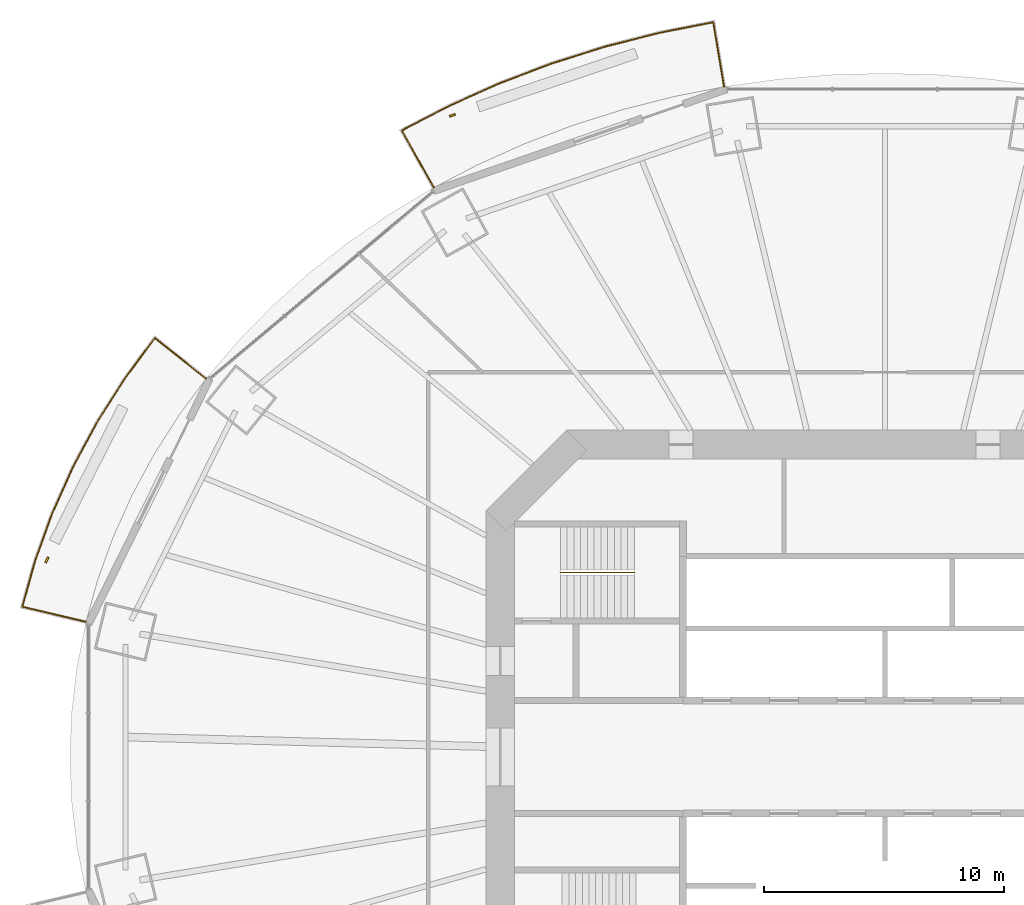
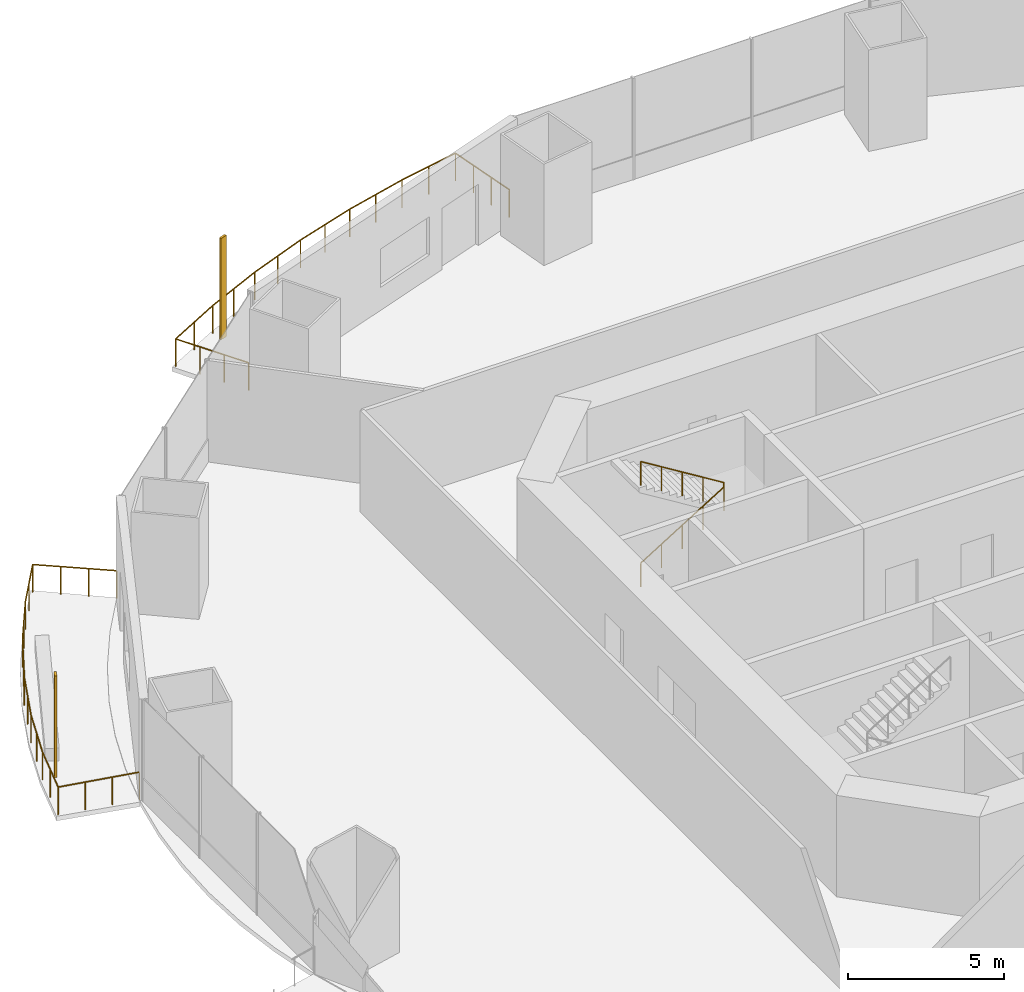
# One storey, part 19 of 21: 3 railings, 2 shading devices.
"""IFC4 building model written with IfcOpenShell, lengths in metres."""

from ifc_helpers import new_model, si_unit, direction, frame, origin, origin_2d, place, context, subcontext, project, spatial, rectangle, circle, extrude, material, material_profile, profile_set, type_object, element, save


model = new_model("IFC4")

# Units and contexts
model_context = context("Model", 3, precision=1e-05, world=origin(), true_north=direction((0.0, 1.0)))
body_context = subcontext(model_context, "Body", "Model", "MODEL_VIEW")
ifc_project = project(units=[si_unit("LENGTHUNIT", "METRE"), si_unit("AREAUNIT", "SQUARE_METRE"), si_unit("VOLUMEUNIT", "CUBIC_METRE"), si_unit("PLANEANGLEUNIT", "RADIAN"), si_unit("MASSUNIT", "GRAM", prefix="KILO")], contexts=[model_context])

# Site, building, storey
site_placement = place(None, origin())
site = spatial("IfcSite", under=ifc_project, at=site_placement, CompositionType="ELEMENT")
building_placement = place(site_placement, origin())
building = spatial("IfcBuilding", under=site, at=building_placement, Name="Marenthal Gate Tower", CompositionType="ELEMENT")
storey_placement = place(building_placement, frame((0.0, 0.0, 120.14990234375)))
storey = spatial("IfcBuildingStorey", under=building, at=storey_placement, Name="L25", CompositionType="ELEMENT", Elevation=120.14990234375)

# Railings
ifc_material_1 = material(Name="Stainless steel", Category="steel")
railing_type_1 = type_object("IfcRailingType", Name="Balcony guard 1100", PredefinedType="GUARDRAIL", material=ifc_material_1)
railing_1_placement = place(storey_placement, frame((-18.766357421875, 23.687744140625, 0.0)))
element("IfcRailing", 1, at=railing_1_placement, inside=storey, type_object=railing_type_1, Name="Balcony guard L25 bay 5", PredefinedType="GUARDRAIL", context=body_context, shape_type="SweptSolid", body=[
    extrude(circle(Radius=0.02392578125, at=origin_2d()), frame((0.0, 0.0, 1.076171875), z_axis=(-0.489198624096, 0.872049721215, -0.014628394006), x_axis=(-0.872143041114, -0.489250974283, 0.0)), (0.0, 0.0, 1.0), 2.720458984375),
    extrude(circle(Radius=0.02392578125, at=origin_2d()), frame((-1.330810546875, 2.372314453125, 1.0361328125), z_axis=(0.887124453904, 0.461530284257, 0.0), x_axis=(-0.461530284257, 0.887124453904, 0.0)), (0.0, 0.0, 1.0), 2.2080078125),
    extrude(circle(Radius=0.02392578125, at=origin_2d()), frame((0.6279296875, 3.391357421875, 1.0361328125), z_axis=(0.912452038961, 0.409183670979, 0.0), x_axis=(-0.409183670979, 0.912452038961, 0.0)), (0.0, 0.0, 1.0), 2.30419921875),
    extrude(circle(Radius=0.02392578125, at=origin_2d()), frame((2.73046875, 4.334228515625, 1.0361328125), z_axis=(0.934727645052, 0.355364924515, 0.0), x_axis=(-0.355364924515, 0.934727645052, 0.0)), (0.0, 0.0, 1.0), 2.3193359375),
    extrude(circle(Radius=0.02392578125, at=origin_2d()), frame((4.8984375, 5.158447265625, 1.0361328125), z_axis=(0.953617459754, 0.301021162798, 0.0), x_axis=(-0.301021162798, 0.953617459754, 0.0)), (0.0, 0.0, 1.0), 2.33251953125),
    extrude(circle(Radius=0.02392578125, at=origin_2d()), frame((7.122802734375, 5.860595703125, 1.0361328125), z_axis=(0.969104417167, 0.246650823286, 0.0), x_axis=(-0.246650823286, 0.969104417167, 0.0)), (0.0, 0.0, 1.0), 2.343994140625),
    extrude(circle(Radius=0.02392578125, at=origin_2d()), frame((9.394287109375, 6.438720703125, 1.0361328125), z_axis=(0.981203457672, 0.192976098658, 0.0), x_axis=(-0.192976098658, 0.981203457672, 0.0)), (0.0, 0.0, 1.0), 2.2734375),
    extrude(circle(Radius=0.02392578125, at=origin_2d()), frame((11.625, 6.87744140625, 1.0361328125), z_axis=(0.164774326367, -0.986222806342, 0.014628657515), x_axis=(0.986328347949, 0.164791959854, 0.0)), (0.0, 0.0, 1.0), 2.720458984375),
    extrude(circle(Radius=0.02099609375, at=origin_2d()), origin(), (0.0, 0.0, 1.0), 1.052001953125),
    extrude(circle(Radius=0.02099609375, at=origin_2d()), frame((-0.443603515625, 0.790771484375, -0.01318359375)), (0.0, 0.0, 1.0), 1.052001953125),
    extrude(circle(Radius=0.02099609375, at=origin_2d()), frame((-0.88720703125, 1.58154296875, -0.026611328125)), (0.0, 0.0, 1.0), 1.052001953125),
    extrude(circle(Radius=0.02099609375, at=origin_2d()), frame((-1.330810546875, 2.372314453125, -0.039794921875)), (0.0, 0.0, 1.0), 1.052001953125),
    extrude(circle(Radius=0.02099609375, at=origin_2d()), frame((-0.3515625, 2.8818359375, -0.039794921875)), (0.0, 0.0, 1.0), 1.052001953125),
    extrude(circle(Radius=0.02099609375, at=origin_2d()), frame((0.6279296875, 3.391357421875, -0.039794921875)), (0.0, 0.0, 1.0), 1.052001953125),
    extrude(circle(Radius=0.02099609375, at=origin_2d()), frame((1.67919921875, 3.86279296875, -0.039794921875)), (0.0, 0.0, 1.0), 1.052001953125),
    extrude(circle(Radius=0.02099609375, at=origin_2d()), frame((2.73046875, 4.334228515625, -0.039794921875)), (0.0, 0.0, 1.0), 1.052001953125),
    extrude(circle(Radius=0.02099609375, at=origin_2d()), frame((3.814453125, 4.746337890625, -0.039794921875)), (0.0, 0.0, 1.0), 1.052001953125),
    extrude(circle(Radius=0.02099609375, at=origin_2d()), frame((4.8984375, 5.158447265625, -0.039794921875)), (0.0, 0.0, 1.0), 1.052001953125),
    extrude(circle(Radius=0.02099609375, at=origin_2d()), frame((6.0107421875, 5.509521484375, -0.039794921875)), (0.0, 0.0, 1.0), 1.052001953125),
    extrude(circle(Radius=0.02099609375, at=origin_2d()), frame((7.122802734375, 5.860595703125, -0.039794921875)), (0.0, 0.0, 1.0), 1.052001953125),
    extrude(circle(Radius=0.02099609375, at=origin_2d()), frame((8.258544921875, 6.149658203125, -0.039794921875)), (0.0, 0.0, 1.0), 1.052001953125),
    extrude(circle(Radius=0.02099609375, at=origin_2d()), frame((9.394287109375, 6.438720703125, -0.039794921875)), (0.0, 0.0, 1.0), 1.052001953125),
    extrude(circle(Radius=0.02099609375, at=origin_2d()), frame((10.509765625, 6.658203125, -0.039794921875)), (0.0, 0.0, 1.0), 1.052001953125),
    extrude(circle(Radius=0.02099609375, at=origin_2d()), frame((11.625, 6.87744140625, -0.039794921875)), (0.0, 0.0, 1.0), 1.052001953125),
    extrude(circle(Radius=0.02099609375, at=origin_2d()), frame((11.7744140625, 5.983154296875, -0.026611328125)), (0.0, 0.0, 1.0), 1.052001953125),
    extrude(circle(Radius=0.02099609375, at=origin_2d()), frame((11.923828125, 5.0888671875, -0.01318359375)), (0.0, 0.0, 1.0), 1.052001953125),
    extrude(circle(Radius=0.02099609375, at=origin_2d()), frame((12.0732421875, 4.194580078125, 0.0)), (0.0, 0.0, 1.0), 1.052001953125),
])
railing_2_placement = place(storey_placement, frame((-33.234130859375, 5.626708984375, 0.0)))
element("IfcRailing", 2, at=railing_2_placement, inside=storey, type_object=railing_type_1, Name="Balcony guard L25 bay 7", PredefinedType="GUARDRAIL", context=body_context, shape_type="SweptSolid", body=[
    extrude(circle(Radius=0.02392578125, at=origin_2d()), frame((0.0, 0.0, 1.076171875), z_axis=(-0.972968211955, 0.230475266885, -0.01462907652), x_axis=(-0.230499932836, -0.973072341074, 0.0)), (0.0, 0.0, 1.0), 2.72021484375),
    extrude(circle(Radius=0.02392578125, at=origin_2d()), frame((-2.646728515625, 0.626953125, 1.0361328125), z_axis=(0.269210641776, 0.963081320738, 0.0), x_axis=(-0.963081320738, 0.269210641776, 0.0)), (0.0, 0.0, 1.0), 2.0087890625),
    extrude(circle(Radius=0.02392578125, at=origin_2d()), frame((-2.10595703125, 2.5615234375, 1.0361328125), z_axis=(0.340033207947, 0.940413429026, 0.0), x_axis=(-0.940413429026, 0.340033207947, 0.0)), (0.0, 0.0, 1.0), 2.0986328125),
    extrude(circle(Radius=0.02392578125, at=origin_2d()), frame((-1.392333984375, 4.53515625, 1.0361328125), z_axis=(0.409344821555, 0.912379754853, 0.0), x_axis=(-0.912379754853, 0.409344821555, 0.0)), (0.0, 0.0, 1.0), 2.11083984375),
    extrude(circle(Radius=0.02392578125, at=origin_2d()), frame((-0.5283203125, 6.4609375, 1.0361328125), z_axis=(0.475168488039, 0.879894827792, 0.0), x_axis=(-0.879894827792, 0.475168488039, 0.0)), (0.0, 0.0, 1.0), 2.12451171875),
    extrude(circle(Radius=0.02392578125, at=origin_2d()), frame((0.481201171875, 8.330322265625, 1.0361328125), z_axis=(0.537259241166, 0.843417161185, 0.0), x_axis=(-0.843417161185, 0.537259241166, 0.0)), (0.0, 0.0, 1.0), 2.140380859375),
    extrude(circle(Radius=0.02392578125, at=origin_2d()), frame((1.631103515625, 10.135498046875, 1.0361328125), z_axis=(0.594457150675, 0.804127288438, 0.0), x_axis=(-0.804127288438, 0.594457150675, 0.0)), (0.0, 0.0, 1.0), 2.077392578125),
    extrude(circle(Radius=0.02392578125, at=origin_2d()), frame((2.865966796875, 11.805908203125, 1.0361328125), z_axis=(0.782385105715, -0.622623090323, 0.014629892421), x_axis=(0.622689732199, 0.782468847568, 0.0)), (0.0, 0.0, 1.0), 2.72021484375),
    extrude(circle(Radius=0.02099609375, at=origin_2d()), origin(), (0.0, 0.0, 1.0), 1.052001953125),
    extrude(circle(Radius=0.02099609375, at=origin_2d()), frame((-0.88232421875, 0.208984375, -0.01318359375)), (0.0, 0.0, 1.0), 1.052001953125),
    extrude(circle(Radius=0.02099609375, at=origin_2d()), frame((-1.764404296875, 0.41796875, -0.026611328125)), (0.0, 0.0, 1.0), 1.052001953125),
    extrude(circle(Radius=0.02099609375, at=origin_2d()), frame((-2.646728515625, 0.626953125, -0.039794921875)), (0.0, 0.0, 1.0), 1.052001953125),
    extrude(circle(Radius=0.02099609375, at=origin_2d()), frame((-2.37646484375, 1.59423828125, -0.039794921875)), (0.0, 0.0, 1.0), 1.052001953125),
    extrude(circle(Radius=0.02099609375, at=origin_2d()), frame((-2.10595703125, 2.5615234375, -0.039794921875)), (0.0, 0.0, 1.0), 1.052001953125),
    extrude(circle(Radius=0.02099609375, at=origin_2d()), frame((-1.7490234375, 3.54833984375, -0.039794921875)), (0.0, 0.0, 1.0), 1.052001953125),
    extrude(circle(Radius=0.02099609375, at=origin_2d()), frame((-1.392333984375, 4.53515625, -0.039794921875)), (0.0, 0.0, 1.0), 1.052001953125),
    extrude(circle(Radius=0.02099609375, at=origin_2d()), frame((-0.96044921875, 5.498046875, -0.039794921875)), (0.0, 0.0, 1.0), 1.052001953125),
    extrude(circle(Radius=0.02099609375, at=origin_2d()), frame((-0.5283203125, 6.4609375, -0.039794921875)), (0.0, 0.0, 1.0), 1.052001953125),
    extrude(circle(Radius=0.02099609375, at=origin_2d()), frame((-0.0234375, 7.3955078125, -0.039794921875)), (0.0, 0.0, 1.0), 1.052001953125),
    extrude(circle(Radius=0.02099609375, at=origin_2d()), frame((0.481201171875, 8.330322265625, -0.039794921875)), (0.0, 0.0, 1.0), 1.052001953125),
    extrude(circle(Radius=0.02099609375, at=origin_2d()), frame((1.05615234375, 9.23291015625, -0.039794921875)), (0.0, 0.0, 1.0), 1.052001953125),
    extrude(circle(Radius=0.02099609375, at=origin_2d()), frame((1.631103515625, 10.135498046875, -0.039794921875)), (0.0, 0.0, 1.0), 1.052001953125),
    extrude(circle(Radius=0.02099609375, at=origin_2d()), frame((2.24853515625, 10.970703125, -0.039794921875)), (0.0, 0.0, 1.0), 1.052001953125),
    extrude(circle(Radius=0.02099609375, at=origin_2d()), frame((2.865966796875, 11.805908203125, -0.039794921875)), (0.0, 0.0, 1.0), 1.052001953125),
    extrude(circle(Radius=0.02099609375, at=origin_2d()), frame((3.575439453125, 11.241455078125, -0.026611328125)), (0.0, 0.0, 1.0), 1.052001953125),
    extrude(circle(Radius=0.02099609375, at=origin_2d()), frame((4.28466796875, 10.6767578125, -0.01318359375)), (0.0, 0.0, 1.0), 1.052001953125),
    extrude(circle(Radius=0.02099609375, at=origin_2d()), frame((4.994140625, 10.1123046875, 0.0)), (0.0, 0.0, 1.0), 1.052001953125),
])
ifc_material_2 = material(Name="Stainless steel", Category="steel")
railing_type_2 = type_object("IfcRailingType", Name="Stair handrail", PredefinedType="HANDRAIL", material=ifc_material_2)
railing_3_placement = place(storey_placement, frame((-13.5, 7.675048828125, 0.173095703125)))
element("IfcRailing", 3, at=railing_3_placement, inside=storey, type_object=railing_type_2, Name="Handrail ST1", PredefinedType="HANDRAIL", context=body_context, shape_type="SweptSolid", body=[
    extrude(circle(Radius=0.0224609375, at=origin_2d()), frame((0.0, 0.0, 0.927490234375), z_axis=(0.850835241893, 0.0, 0.525432575268), x_axis=(0.0, 1.0, 0.0)), (0.0, 0.0, 1.0), 3.6201171875),
    extrude(circle(Radius=0.0224609375, at=origin_2d()), frame((3.080078125, 0.0, 2.82958984375), z_axis=(0.0, 0.0, 1.0), x_axis=(1.0, 0.0, 0.0)), (0.0, 0.0, 1.0), 0.1728515625),
    extrude(circle(Radius=0.0224609375, at=origin_2d()), frame((3.080078125, 0.0, 3.00244140625), z_axis=(-0.850835241893, 0.0, 0.525432575268), x_axis=(0.0, -1.0, 0.0)), (0.0, 0.0, 1.0), 3.6201171875),
    extrude(circle(Radius=0.02001953125, at=origin_2d()), origin(), (0.0, 0.0, 1.0), 0.905029296875),
    extrude(circle(Radius=0.02001953125, at=origin_2d()), frame((0.77001953125, 0.0, 0.4755859375)), (0.0, 0.0, 1.0), 0.905029296875),
    extrude(circle(Radius=0.02001953125, at=origin_2d()), frame((1.5400390625, 0.0, 0.951171875)), (0.0, 0.0, 1.0), 0.905029296875),
    extrude(circle(Radius=0.02001953125, at=origin_2d()), frame((2.31005859375, 0.0, 1.426513671875)), (0.0, 0.0, 1.0), 0.905029296875),
    extrude(circle(Radius=0.02001953125, at=origin_2d()), frame((3.080078125, 0.0, 1.902099609375)), (0.0, 0.0, 1.0), 0.905029296875),
    extrude(circle(Radius=0.02001953125, at=origin_2d()), frame((3.080078125, 0.0, 2.074951171875)), (0.0, 0.0, 1.0), 0.905029296875),
    extrude(circle(Radius=0.02001953125, at=origin_2d()), frame((2.31005859375, 0.0, 2.550537109375)), (0.0, 0.0, 1.0), 0.905029296875),
    extrude(circle(Radius=0.02001953125, at=origin_2d()), frame((1.5400390625, 0.0, 3.02587890625)), (0.0, 0.0, 1.0), 0.905029296875),
    extrude(circle(Radius=0.02001953125, at=origin_2d()), frame((0.77001953125, 0.0, 3.50146484375)), (0.0, 0.0, 1.0), 0.905029296875),
    extrude(circle(Radius=0.02001953125, at=origin_2d()), frame((0.0, 0.0, 3.97705078125)), (0.0, 0.0, 1.0), 0.905029296875),
])

# Shading devices
ifc_material_3 = material(Name="Terracotta", Category="masonry")
ifc_material_profile = material_profile(ifc_material_3, rectangle(XDim=0.25, YDim=0.080078125, at=origin_2d()), Name="Terracotta baguette 250x80")
ifc_profile_set = profile_set([ifc_material_profile], Name="Terracotta")
shading_device_type = type_object("IfcShadingDeviceType", Name="Terracotta BAGUETTE SCREEN 250x80", PredefinedType="USERDEFINED", material=ifc_profile_set)
for number, where, z_axis, x_axis, name in (
    (4, (-17.989501953125, 26.689453125, -0.039794921875), (0.0, 0.0, 1.0), (-0.944576320007, -0.328291906207, 0.0), "Terracotta BAGUETTE L25 bay 5R"),
    (5, (-34.85888671875, 8.199462890625, -0.039794921875), (0.0, 0.0, 1.0), (-0.442657811607, -0.896690616558, 0.0), "Terracotta BAGUETTE L25 bay 7R"),
):
    element("IfcShadingDevice", number, at=place(storey_placement, frame(where, z_axis=z_axis, x_axis=x_axis)), inside=storey, type_object=shading_device_type, Name=name, ObjectType="BAGUETTE SCREEN", PredefinedType="USERDEFINED", context=body_context, shape_type="SweptSolid", body=[
        extrude(rectangle(XDim=0.25, YDim=0.080078125, at=origin_2d()), origin(), (0.0, 0.0, 1.0), 3.969970703125),
    ])

save(model, "model.ifc")
